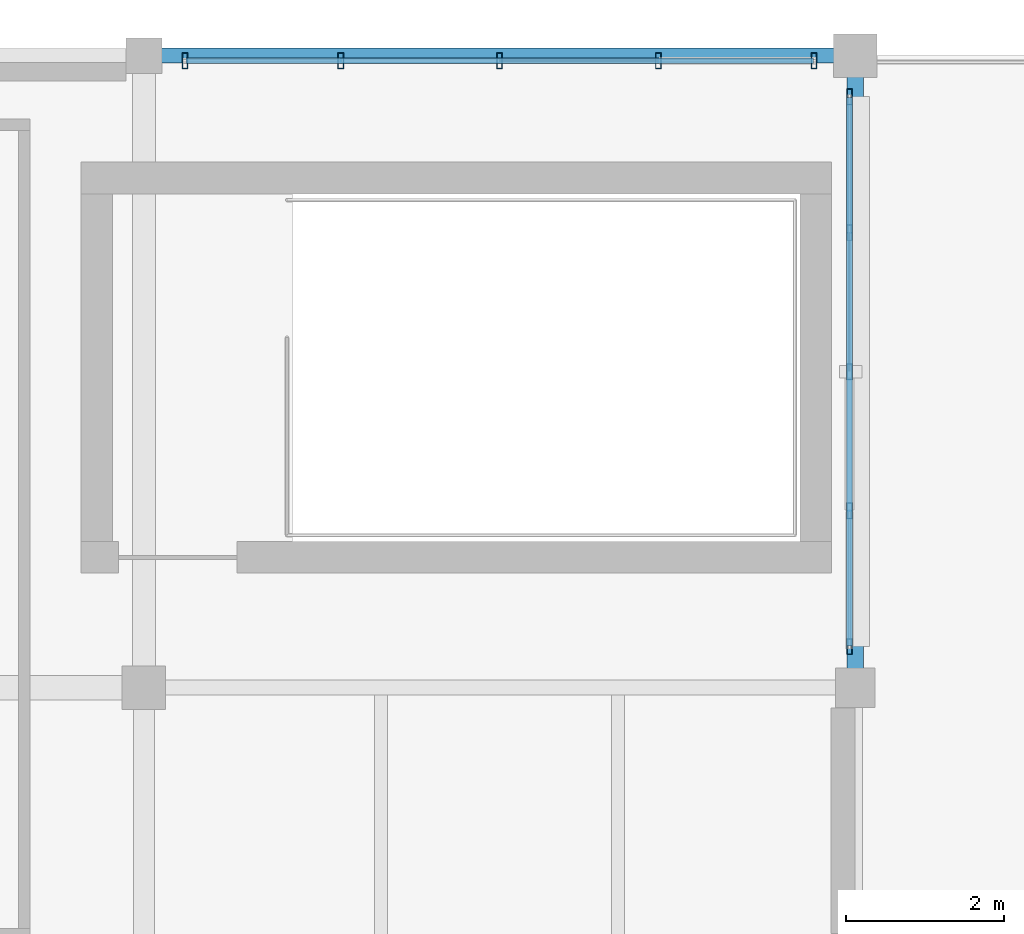
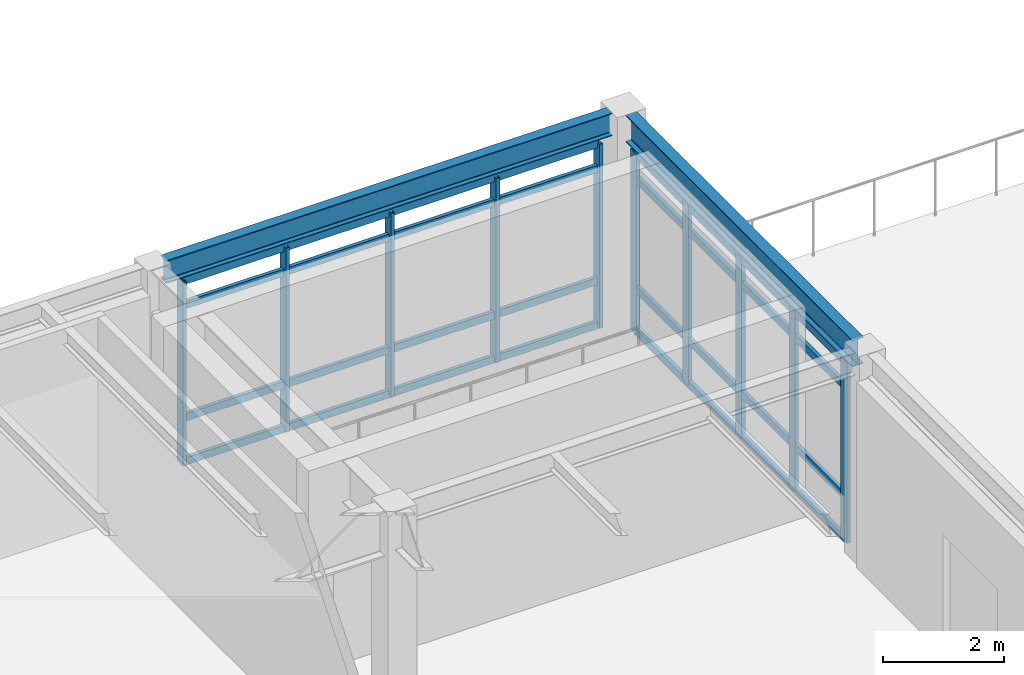
# One storey, part 83 of 168: 18 members, 2 beams, 2 elements without a shape of their own.
"""IFC4 building model written with IfcOpenShell, lengths in metres."""

from ifc_helpers import new_model, si_unit, direction, frame, origin, origin_2d, place, context, subcontext, project, spatial, hollow_rectangle, i_section, extrude, material, material_profile, profile_set, type_object, element, aggregate, save


model = new_model("IFC4")

# Units and contexts
model_context = context("Model", 3, precision=1e-05, world=origin(), true_north=direction((0.0, 1.0)))
body_context = subcontext(model_context, "Body", "Model", "MODEL_VIEW")
ifc_project = project(units=[si_unit("LENGTHUNIT", "METRE"), si_unit("AREAUNIT", "SQUARE_METRE"), si_unit("VOLUMEUNIT", "CUBIC_METRE"), si_unit("PLANEANGLEUNIT", "RADIAN"), si_unit("MASSUNIT", "GRAM", prefix="KILO"), si_unit("THERMODYNAMICTEMPERATUREUNIT", "KELVIN"), si_unit("POWERUNIT", "WATT")], contexts=[model_context])

# Site, building, storey
site_placement = place(None, origin())
site = spatial("IfcSite", under=ifc_project, at=site_placement, CompositionType="ELEMENT")
building_placement = place(site_placement, origin())
building = spatial("IfcBuilding", under=site, at=building_placement, Name="Tepalcoro Natatorium and Aquatics Centre", CompositionType="ELEMENT")
storey_placement = place(building_placement, frame((0.0, 0.0, 10.199951171875)))
storey = spatial("IfcBuildingStorey", under=building, at=storey_placement, Name="L02", CompositionType="ELEMENT", Elevation=10.199951171875)

# Curtain wall, members
ifc_material_1 = material(Name="Bronze-Anodised Extruded Aluminium Alloy EN AW-6063 T6", Category="aluminium")
curtain_wall_type_1 = type_object("IfcCurtainWallType", Name="CW_V2_DIVING", PredefinedType="USERDEFINED", material=ifc_material_1)
curtain_wall_1_placement = place(storey_placement, origin())
curtain_wall_1 = element("IfcCurtainWall", 1, at=curtain_wall_1_placement, inside=storey, type_object=curtain_wall_type_1, Name="V4 L02 N Unitised Curtain Wall Bay 6", ObjectType="FACETED SOLAR GLAZING", PredefinedType="USERDEFINED")
ifc_material_profile_1 = material_profile(ifc_material_1, hollow_rectangle(XDim=0.070068359375, YDim=0.199951171875, WallThickness=0.0048828125, at=origin_2d()), Name="AL70X200X5")
ifc_profile_set_1 = profile_set([ifc_material_profile_1], Name="Bronze-Anodised Extruded Aluminium Alloy EN AW-6063 T6")
member_type_1 = type_object("IfcMemberType", Name="CW_MUL_70x200", PredefinedType="MULLION", material=ifc_profile_set_1)
member_1_placement = place(storey_placement, frame((53.52001953125, 117.93505859375, 0.02001953125), z_axis=(0.0, 0.0, 1.0), x_axis=(1.0, 0.0, 0.0)))
member_1 = element("IfcMember", 2, at=member_1_placement, type_object=member_type_1, Name="CW_V2_DIVING Curtain Wall Mullion", PredefinedType="MULLION", context=body_context, shape_type="SweptSolid", body=[
    extrude(hollow_rectangle(XDim=0.070068359375, YDim=0.199951171875, WallThickness=0.0048828125, at=origin_2d()), origin(), (0.0, 0.0, 1.0), 3.719970703125),
])
member_2_placement = place(storey_placement, frame((55.489990234375, 117.93505859375, 0.02001953125), z_axis=(0.0, 0.0, 1.0), x_axis=(1.0, 0.0, 0.0)))
member_2 = element("IfcMember", 3, at=member_2_placement, type_object=member_type_1, Name="CW_V2_DIVING Curtain Wall Mullion", PredefinedType="MULLION", context=body_context, shape_type="SweptSolid", body=[
    extrude(hollow_rectangle(XDim=0.070068359375, YDim=0.199951171875, WallThickness=0.0048828125, at=origin_2d()), origin(), (0.0, 0.0, 1.0), 3.719970703125),
])
member_3_placement = place(storey_placement, frame((57.5, 117.93505859375, 0.02001953125), z_axis=(0.0, 0.0, 1.0), x_axis=(1.0, 0.0, 0.0)))
member_3 = element("IfcMember", 4, at=member_3_placement, type_object=member_type_1, Name="CW_V2_DIVING Curtain Wall Mullion", PredefinedType="MULLION", context=body_context, shape_type="SweptSolid", body=[
    extrude(hollow_rectangle(XDim=0.070068359375, YDim=0.199951171875, WallThickness=0.0048828125, at=origin_2d()), origin(), (0.0, 0.0, 1.0), 3.719970703125),
])
member_4_placement = place(storey_placement, frame((59.510009765625, 117.93505859375, 0.02001953125), z_axis=(0.0, 0.0, 1.0), x_axis=(1.0, 0.0, 0.0)))
member_4 = element("IfcMember", 5, at=member_4_placement, type_object=member_type_1, Name="CW_V2_DIVING Curtain Wall Mullion", PredefinedType="MULLION", context=body_context, shape_type="SweptSolid", body=[
    extrude(hollow_rectangle(XDim=0.070068359375, YDim=0.199951171875, WallThickness=0.0048828125, at=origin_2d()), origin(), (0.0, 0.0, 1.0), 3.719970703125),
])
member_5_placement = place(storey_placement, frame((61.47998046875, 117.93505859375, 0.02001953125), z_axis=(0.0, 0.0, 1.0), x_axis=(1.0, 0.0, 0.0)))
member_5 = element("IfcMember", 6, at=member_5_placement, type_object=member_type_1, Name="CW_V2_DIVING Curtain Wall Mullion", PredefinedType="MULLION", context=body_context, shape_type="SweptSolid", body=[
    extrude(hollow_rectangle(XDim=0.070068359375, YDim=0.199951171875, WallThickness=0.0048828125, at=origin_2d()), origin(), (0.0, 0.0, 1.0), 3.719970703125),
])

curtain_wall_type_2 = type_object("IfcCurtainWallType", Name="CW_LEAN_T2_EW", PredefinedType="USERDEFINED", material=ifc_material_1)
curtain_wall_2_placement = place(storey_placement, origin())
curtain_wall_2 = element("IfcCurtainWall", 7, at=curtain_wall_2_placement, inside=storey, type_object=curtain_wall_type_2, Name="V4 L02 E Unitised Curtain Wall Bay 3", ObjectType="FACETED SOLAR GLAZING", PredefinedType="USERDEFINED")
member_6_placement = place(storey_placement, frame((61.9287109375, 110.52001953125, 0.02001953125), z_axis=(0.0, 0.0, 1.0), x_axis=(1.0, 0.0, 0.0)))
member_6 = element("IfcMember", 8, at=member_6_placement, type_object=member_type_1, Name="CW_LEAN_T2_EW Curtain Wall Mullion", PredefinedType="MULLION", context=body_context, shape_type="SweptSolid", body=[
    extrude(hollow_rectangle(XDim=0.070068359375, YDim=0.199951171875, WallThickness=0.0048828125, at=origin_2d()), origin(), (0.0, 0.0, 1.0), 3.64404296875),
])
member_7_placement = place(storey_placement, frame((61.9287109375, 112.239990234375, 0.02001953125), z_axis=(0.0, 0.0, 1.0), x_axis=(1.0, 0.0, 0.0)))
member_7 = element("IfcMember", 9, at=member_7_placement, type_object=member_type_1, Name="CW_LEAN_T2_EW Curtain Wall Mullion", PredefinedType="MULLION", context=body_context, shape_type="SweptSolid", body=[
    extrude(hollow_rectangle(XDim=0.070068359375, YDim=0.199951171875, WallThickness=0.0048828125, at=origin_2d()), origin(), (0.0, 0.0, 1.0), 3.64404296875),
])
member_8_placement = place(storey_placement, frame((61.9287109375, 114.0, 0.02001953125), z_axis=(0.0, 0.0, 1.0), x_axis=(1.0, 0.0, 0.0)))
member_8 = element("IfcMember", 10, at=member_8_placement, type_object=member_type_1, Name="CW_LEAN_T2_EW Curtain Wall Mullion", PredefinedType="MULLION", context=body_context, shape_type="SweptSolid", body=[
    extrude(hollow_rectangle(XDim=0.070068359375, YDim=0.199951171875, WallThickness=0.0048828125, at=origin_2d()), origin(), (0.0, 0.0, 1.0), 3.64404296875),
])
member_9_placement = place(storey_placement, frame((61.9287109375, 115.760009765625, 0.02001953125), z_axis=(0.0, 0.0, 1.0), x_axis=(1.0, 0.0, 0.0)))
member_9 = element("IfcMember", 11, at=member_9_placement, type_object=member_type_1, Name="CW_LEAN_T2_EW Curtain Wall Mullion", PredefinedType="MULLION", context=body_context, shape_type="SweptSolid", body=[
    extrude(hollow_rectangle(XDim=0.070068359375, YDim=0.199951171875, WallThickness=0.0048828125, at=origin_2d()), origin(), (0.0, 0.0, 1.0), 3.64404296875),
])
member_10_placement = place(storey_placement, frame((61.9287109375, 117.47998046875, 0.02001953125), z_axis=(0.0, 0.0, 1.0), x_axis=(1.0, 0.0, 0.0)))
member_10 = element("IfcMember", 12, at=member_10_placement, type_object=member_type_1, Name="CW_LEAN_T2_EW Curtain Wall Mullion", PredefinedType="MULLION", context=body_context, shape_type="SweptSolid", body=[
    extrude(hollow_rectangle(XDim=0.070068359375, YDim=0.199951171875, WallThickness=0.0048828125, at=origin_2d()), origin(), (0.0, 0.0, 1.0), 3.64404296875),
])

# Member
ifc_material_profile_2 = material_profile(ifc_material_1, hollow_rectangle(XDim=0.070068359375, YDim=0.14990234375, WallThickness=0.00390625, at=origin_2d()), Name="AL70X150X4")
ifc_profile_set_2 = profile_set([ifc_material_profile_2], Name="Bronze-Anodised Extruded Aluminium Alloy EN AW-6063 T6")
member_type_2 = type_object("IfcMemberType", Name="CW_TRN_70x150", PredefinedType="USERDEFINED", material=ifc_profile_set_2)
member_11_placement = place(storey_placement, frame((53.530029296875, 117.93505859375, 0.050048828125), z_axis=(1.0, 0.0, 0.0), x_axis=(0.0, 1.0, 0.0)))
member_11 = element("IfcMember", 13, at=member_11_placement, type_object=member_type_2, Name="CW_V2_DIVING Curtain Wall Transom", ObjectType="TRANSOM", PredefinedType="USERDEFINED", context=body_context, shape_type="SweptSolid", body=[
    extrude(hollow_rectangle(XDim=0.070068359375, YDim=0.14990234375, WallThickness=0.00390625, at=origin_2d()), origin(), (0.0, 0.0, 1.0), 7.93994140625),
])

member_12_placement = place(storey_placement, frame((53.530029296875, 117.93505859375, 0.93994140625), z_axis=(1.0, 0.0, 0.0), x_axis=(0.0, 1.0, 0.0)))
member_12 = element("IfcMember", 14, at=member_12_placement, type_object=member_type_2, Name="CW_V2_DIVING Curtain Wall Transom", ObjectType="TRANSOM", PredefinedType="USERDEFINED", context=body_context, shape_type="SweptSolid", body=[
    extrude(hollow_rectangle(XDim=0.070068359375, YDim=0.14990234375, WallThickness=0.00390625, at=origin_2d()), origin(), (0.0, 0.0, 1.0), 7.93994140625),
])

member_13_placement = place(storey_placement, frame((53.530029296875, 117.93505859375, 3.2099609375), z_axis=(1.0, 0.0, 0.0), x_axis=(0.0, 1.0, 0.0)))
member_13 = element("IfcMember", 15, at=member_13_placement, type_object=member_type_2, Name="CW_V2_DIVING Curtain Wall Transom", ObjectType="TRANSOM", PredefinedType="USERDEFINED", context=body_context, shape_type="SweptSolid", body=[
    extrude(hollow_rectangle(XDim=0.070068359375, YDim=0.14990234375, WallThickness=0.00390625, at=origin_2d()), origin(), (0.0, 0.0, 1.0), 7.93994140625),
])

member_14_placement = place(storey_placement, frame((53.530029296875, 117.93505859375, 3.7099609375), z_axis=(1.0, 0.0, 0.0), x_axis=(0.0, 1.0, 0.0)))
member_14 = element("IfcMember", 16, at=member_14_placement, type_object=member_type_2, Name="CW_V2_DIVING Curtain Wall Transom", ObjectType="TRANSOM", PredefinedType="USERDEFINED", context=body_context, shape_type="SweptSolid", body=[
    extrude(hollow_rectangle(XDim=0.070068359375, YDim=0.14990234375, WallThickness=0.00390625, at=origin_2d()), origin(), (0.0, 0.0, 1.0), 7.93994140625),
])

aggregate(curtain_wall_1, [member_1, member_2, member_3, member_4, member_5, member_11, member_12, member_13, member_14])

member_15_placement = place(storey_placement, frame((61.9287109375, 110.530029296875, 0.050048828125), z_axis=(0.0, 1.0, 0.0), x_axis=(-1.0, 0.0, 0.0)))
member_15 = element("IfcMember", 17, at=member_15_placement, type_object=member_type_2, Name="CW_LEAN_T2_EW Curtain Wall Transom", ObjectType="TRANSOM", PredefinedType="USERDEFINED", context=body_context, shape_type="SweptSolid", body=[
    extrude(hollow_rectangle(XDim=0.070068359375, YDim=0.14990234375, WallThickness=0.00390625, at=origin_2d()), origin(), (0.0, 0.0, 1.0), 6.93994140625),
])

member_16_placement = place(storey_placement, frame((61.9287109375, 110.530029296875, 0.921142578125), z_axis=(0.0, 1.0, 0.0), x_axis=(-1.0, 0.0, 0.0)))
member_16 = element("IfcMember", 18, at=member_16_placement, type_object=member_type_2, Name="CW_LEAN_T2_EW Curtain Wall Transom", ObjectType="TRANSOM", PredefinedType="USERDEFINED", context=body_context, shape_type="SweptSolid", body=[
    extrude(hollow_rectangle(XDim=0.070068359375, YDim=0.14990234375, WallThickness=0.00390625, at=origin_2d()), origin(), (0.0, 0.0, 1.0), 6.93994140625),
])

member_17_placement = place(storey_placement, frame((61.9287109375, 110.530029296875, 3.134033203125), z_axis=(0.0, 1.0, 0.0), x_axis=(-1.0, 0.0, 0.0)))
member_17 = element("IfcMember", 19, at=member_17_placement, type_object=member_type_2, Name="CW_LEAN_T2_EW Curtain Wall Transom", ObjectType="TRANSOM", PredefinedType="USERDEFINED", context=body_context, shape_type="SweptSolid", body=[
    extrude(hollow_rectangle(XDim=0.070068359375, YDim=0.14990234375, WallThickness=0.00390625, at=origin_2d()), origin(), (0.0, 0.0, 1.0), 6.93994140625),
])

member_18_placement = place(storey_placement, frame((61.9287109375, 110.530029296875, 3.634033203125), z_axis=(0.0, 1.0, 0.0), x_axis=(-1.0, 0.0, 0.0)))
member_18 = element("IfcMember", 20, at=member_18_placement, type_object=member_type_2, Name="CW_LEAN_T2_EW Curtain Wall Transom", ObjectType="TRANSOM", PredefinedType="USERDEFINED", context=body_context, shape_type="SweptSolid", body=[
    extrude(hollow_rectangle(XDim=0.070068359375, YDim=0.14990234375, WallThickness=0.00390625, at=origin_2d()), origin(), (0.0, 0.0, 1.0), 6.93994140625),
])

aggregate(curtain_wall_2, [member_6, member_7, member_8, member_9, member_10, member_15, member_16, member_17, member_18])

# Beams
ifc_material_2 = material(Name="Steel ASTM A992 Grade 50 (Fy 345 MPa)", Category="steel")
ifc_material_profile_3 = material_profile(ifc_material_2, i_section(OverallWidth=0.19091796875, OverallDepth=0.4599609375, WebThickness=0.010009765625, FlangeThickness=0.01611328125, FilletRadius=0.013916015625, at=origin_2d()), Name="W18X55")
ifc_profile_set_3 = profile_set([ifc_material_profile_3], Name="Steel ASTM A992 Grade 50 (Fy 345 MPa)")
beam_type_1 = type_object("IfcBeamType", Name="SP_W18x55", PredefinedType="SPANDREL", material=ifc_profile_set_3)
beam_1_placement = place(storey_placement, frame((53.2099609375, 118.0, 4.005126953125), z_axis=(1.0, 0.0, 0.0), x_axis=(0.0, 1.0, 0.0)))
element("IfcBeam", 21, at=beam_1_placement, inside=storey, type_object=beam_type_1, Name="V4 L02 Grid Girder X", PredefinedType="SPANDREL", context=body_context, shape_type="SweptSolid", body=[
    extrude(i_section(OverallWidth=0.19091796875, OverallDepth=0.4599609375, WebThickness=0.010009765625, FlangeThickness=0.01611328125, FilletRadius=0.013916015625, at=origin_2d()), origin(), (0.0, 0.0, 1.0), 8.530029296875),
])
ifc_material_profile_4 = material_profile(ifc_material_2, i_section(OverallWidth=0.2099609375, OverallDepth=0.535888671875, WebThickness=0.010986328125, FlangeThickness=0.01708984375, FilletRadius=0.013916015625, at=origin_2d()), Name="W21X68")
ifc_profile_set_4 = profile_set([ifc_material_profile_4], Name="Steel ASTM A992 Grade 50 (Fy 345 MPa)")
beam_type_2 = type_object("IfcBeamType", Name="SP_W21x68", PredefinedType="SPANDREL", material=ifc_profile_set_4)
beam_2_placement = place(storey_placement, frame((62.0, 110.235107421875, 3.967041015625), z_axis=(0.0, 1.0, 0.0), x_axis=(-1.0, 0.0, 0.0)))
element("IfcBeam", 22, at=beam_2_placement, inside=storey, type_object=beam_type_2, Name="V4 L02 Grid Girder Y", PredefinedType="SPANDREL", context=body_context, shape_type="SweptSolid", body=[
    extrude(i_section(OverallWidth=0.2099609375, OverallDepth=0.535888671875, WebThickness=0.010986328125, FlangeThickness=0.01708984375, FilletRadius=0.013916015625, at=origin_2d()), origin(), (0.0, 0.0, 1.0), 7.5048828125),
])

save(model, "model.ifc")
